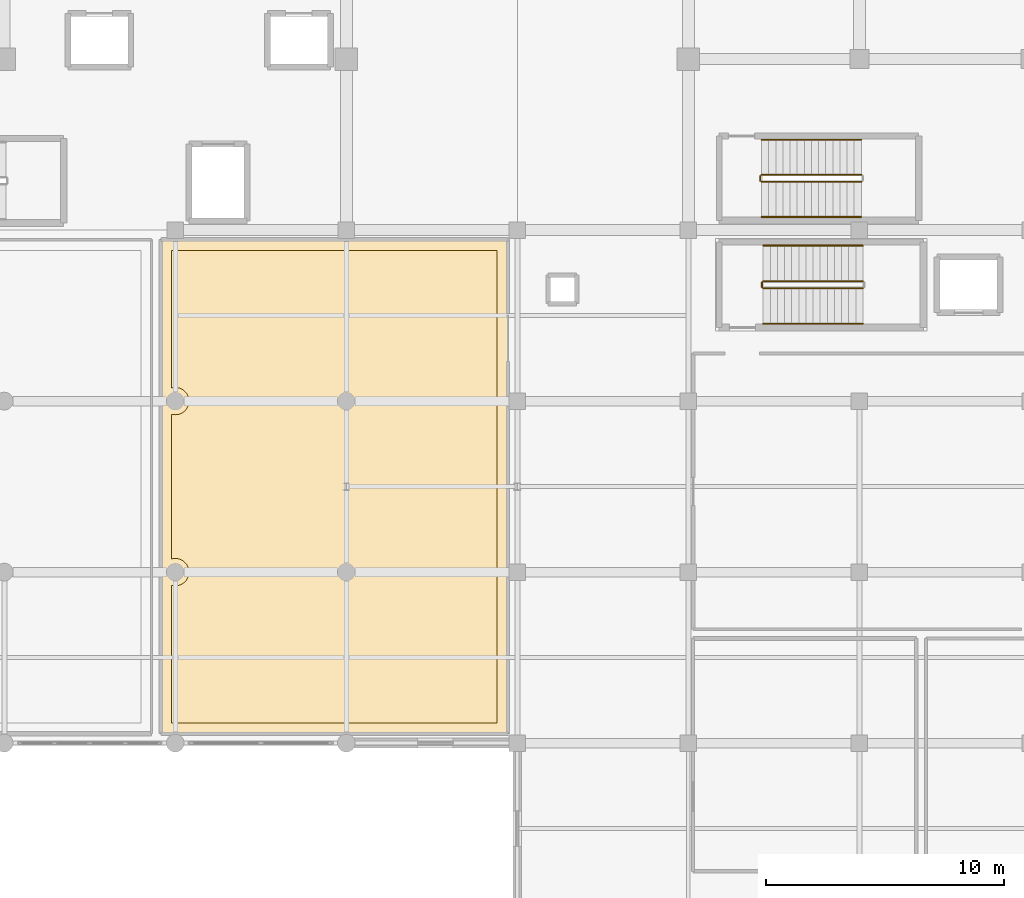
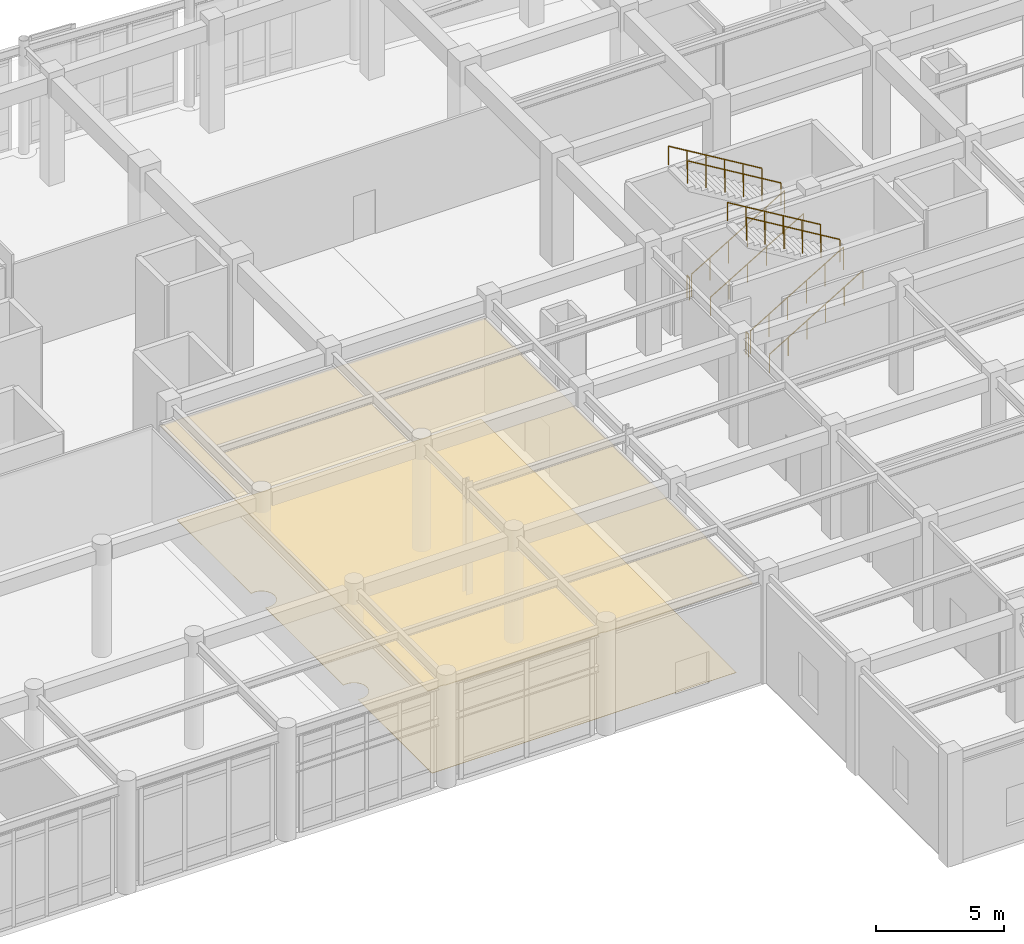
# One storey, part 97 of 102: 10 railings, 2 coverings.
"""IFC4 building model written with IfcOpenShell, lengths in metres."""

from ifc_helpers import new_model, si_unit, direction, frame, origin, origin_2d, place, context, subcontext, project, spatial, polyline, circle, outline, extrude, material, layer, layer_set, type_object, element, save


model = new_model("IFC4")

# Units and contexts
model_context = context("Model", 3, precision=1e-05, world=origin(), true_north=direction((0.0, 1.0)))
body_context = subcontext(model_context, "Body", "Model", "MODEL_VIEW")
ifc_project = project(units=[si_unit("LENGTHUNIT", "METRE"), si_unit("AREAUNIT", "SQUARE_METRE"), si_unit("VOLUMEUNIT", "CUBIC_METRE"), si_unit("PLANEANGLEUNIT", "RADIAN"), si_unit("MASSUNIT", "GRAM", prefix="KILO")], contexts=[model_context])

# Site, building, storey
site_placement = place(None, origin())
site = spatial("IfcSite", under=ifc_project, at=site_placement, CompositionType="ELEMENT")
building_placement = place(site_placement, origin())
building = spatial("IfcBuilding", under=site, at=building_placement, Name="Carrowvane Square Congress Hotel", CompositionType="ELEMENT")
storey_placement = place(building_placement, origin())
storey = spatial("IfcBuildingStorey", under=building, at=storey_placement, Name="L00", CompositionType="ELEMENT", Elevation=0.0)

# Coverings
ifc_material_1 = material(Name="Anodised aluminium", Category="aluminium")
ifc_layer_1 = layer(ifc_material_1, 0.030029296875)
ifc_layer_set_1 = layer_set([ifc_layer_1], Name="Anodised aluminium")
covering_type_1 = type_object("IfcCoveringType", Name="COV-CLG-MT30", PredefinedType="CEILING", material=ifc_layer_set_1)
covering_1_placement = place(storey_placement, frame((0.0, 0.0, 4.35498046875)))
element("IfcCovering", 1, at=covering_1_placement, inside=storey, type_object=covering_type_1, Name="L00 Artisan Coffee Roastery and Bakery acoustic ceiling", PredefinedType="CEILING", context=body_context, shape_type="SweptSolid", body=[
    extrude(outline(polyline([(112.47802734375, 91.40771484375), (112.51611328125, 91.417236328125), (112.52392578125, 91.419921875), (119.47607421875, 91.419921875), (119.48388671875, 91.417236328125), (119.52197265625, 91.40771484375), (119.560791015625, 91.40185546875), (119.60009765625, 91.39990234375), (119.63916015625, 91.40185546875), (119.677978515625, 91.40771484375), (119.716064453125, 91.417236328125), (119.723876953125, 91.419921875), (126.39990234375, 91.419921875), (126.402099609375, 91.419921875), (126.40380859375, 91.419677734375), (126.40576171875, 91.419189453125), (126.40771484375, 91.41845703125), (126.409423828125, 91.41748046875), (126.4111328125, 91.41650390625), (126.41259765625, 91.41552734375), (126.4140625, 91.4140625), (126.41552734375, 91.41259765625), (126.41650390625, 91.4111328125), (126.41748046875, 91.409423828125), (126.41845703125, 91.40771484375), (126.419189453125, 91.40576171875), (126.419677734375, 91.40380859375), (126.419921875, 91.402099609375), (126.419921875, 91.39990234375), (126.419921875, 84.723876953125), (126.417236328125, 84.716064453125), (126.40771484375, 84.677978515625), (126.40185546875, 84.63916015625), (126.39990234375, 84.60009765625), (126.40185546875, 84.560791015625), (126.40771484375, 84.52197265625), (126.417236328125, 84.48388671875), (126.419921875, 84.47607421875), (126.419921875, 77.52392578125), (126.417236328125, 77.51611328125), (126.40771484375, 77.47802734375), (126.40185546875, 77.439208984375), (126.39990234375, 77.39990234375), (126.40185546875, 77.36083984375), (126.40771484375, 77.322021484375), (126.417236328125, 77.283935546875), (126.419921875, 77.276123046875), (126.419921875, 70.60009765625), (126.419921875, 70.597900390625), (126.419677734375, 70.59619140625), (126.419189453125, 70.59423828125), (126.41845703125, 70.59228515625), (126.41748046875, 70.590576171875), (126.41650390625, 70.5888671875), (126.41552734375, 70.58740234375), (126.4140625, 70.5859375), (126.41259765625, 70.58447265625), (126.4111328125, 70.58349609375), (126.409423828125, 70.58251953125), (126.40771484375, 70.58154296875), (126.40576171875, 70.580810546875), (126.40380859375, 70.580322265625), (126.402099609375, 70.580078125), (126.39990234375, 70.580078125), (119.789306640625, 70.580078125), (119.7626953125, 70.592529296875), (119.723388671875, 70.606689453125), (119.682861328125, 70.61669921875), (119.6416015625, 70.623046875), (119.60009765625, 70.625), (119.558349609375, 70.623046875), (119.51708984375, 70.61669921875), (119.4765625, 70.606689453125), (119.4375, 70.592529296875), (119.41064453125, 70.580078125), (112.58935546875, 70.580078125), (112.5625, 70.592529296875), (112.5234375, 70.606689453125), (112.48291015625, 70.61669921875), (112.441650390625, 70.623046875), (112.39990234375, 70.625), (112.3583984375, 70.623046875), (112.317138671875, 70.61669921875), (112.276611328125, 70.606689453125), (112.2373046875, 70.592529296875), (112.210693359375, 70.580078125), (111.800048828125, 70.580078125), (111.798095703125, 70.580078125), (111.796142578125, 70.580322265625), (111.794189453125, 70.580810546875), (111.792236328125, 70.58154296875), (111.79052734375, 70.58251953125), (111.788818359375, 70.58349609375), (111.787353515625, 70.58447265625), (111.785888671875, 70.5859375), (111.784423828125, 70.58740234375), (111.783447265625, 70.5888671875), (111.782470703125, 70.590576171875), (111.781494140625, 70.59228515625), (111.781005859375, 70.59423828125), (111.780517578125, 70.59619140625), (111.780029296875, 70.597900390625), (111.780029296875, 70.60009765625), (111.780029296875, 91.39990234375), (111.780029296875, 91.402099609375), (111.780517578125, 91.40380859375), (111.781005859375, 91.40576171875), (111.781494140625, 91.40771484375), (111.782470703125, 91.409423828125), (111.783447265625, 91.4111328125), (111.784423828125, 91.41259765625), (111.785888671875, 91.4140625), (111.787353515625, 91.41552734375), (111.788818359375, 91.41650390625), (111.79052734375, 91.41748046875), (111.792236328125, 91.41845703125), (111.794189453125, 91.419189453125), (111.796142578125, 91.419677734375), (111.798095703125, 91.419921875), (111.800048828125, 91.419921875), (112.276123046875, 91.419921875), (112.283935546875, 91.417236328125), (112.322021484375, 91.40771484375), (112.36083984375, 91.40185546875), (112.39990234375, 91.39990234375), (112.439208984375, 91.40185546875), (112.47802734375, 91.40771484375)])), origin(), (0.0, 0.0, 1.0), 0.030029296875),
])
ifc_material_2 = material(Name="European oak timber", Category="wood")
ifc_layer_2 = layer(ifc_material_2, 0.013916015625)
ifc_layer_set_2 = layer_set([ifc_layer_2], Name="European oak timber")
covering_type_2 = type_object("IfcCoveringType", Name="COV-FLR-CRP14", PredefinedType="FLOORING", material=ifc_layer_set_2)
covering_2_placement = place(storey_placement, origin())
element("IfcCovering", 2, at=covering_2_placement, inside=storey, type_object=covering_type_2, Name="L00 Artisan Coffee Roastery and Bakery floor finish", PredefinedType="FLOORING", context=body_context, shape_type="SweptSolid", body=[
    extrude(outline(polyline([(112.764892578125, 85.04443359375), (112.719482421875, 85.078125), (112.671142578125, 85.107177734375), (112.6201171875, 85.131103515625), (112.56689453125, 85.150146484375), (112.51220703125, 85.1640625), (112.456298828125, 85.172119140625), (112.39990234375, 85.175048828125), (112.343505859375, 85.172119140625), (112.287841796875, 85.1640625), (112.25, 85.154541015625), (112.25, 90.949951171875), (125.949951171875, 90.949951171875), (125.949951171875, 71.050048828125), (112.25, 71.050048828125), (112.25, 76.845458984375), (112.287841796875, 76.8359375), (112.343505859375, 76.827880859375), (112.39990234375, 76.824951171875), (112.456298828125, 76.827880859375), (112.51220703125, 76.8359375), (112.56689453125, 76.849853515625), (112.6201171875, 76.868896484375), (112.671142578125, 76.892822265625), (112.719482421875, 76.921875), (112.764892578125, 76.95556640625), (112.806640625, 76.993408203125), (112.844482421875, 77.03515625), (112.878173828125, 77.08056640625), (112.906982421875, 77.12890625), (112.93115234375, 77.179931640625), (112.9501953125, 77.233154296875), (112.964111328125, 77.287841796875), (112.97216796875, 77.343505859375), (112.97509765625, 77.39990234375), (112.97216796875, 77.456298828125), (112.964111328125, 77.51220703125), (112.9501953125, 77.56689453125), (112.93115234375, 77.6201171875), (112.906982421875, 77.671142578125), (112.878173828125, 77.719482421875), (112.844482421875, 77.764892578125), (112.806640625, 77.806640625), (112.764892578125, 77.844482421875), (112.719482421875, 77.878173828125), (112.671142578125, 77.906982421875), (112.6201171875, 77.93115234375), (112.56689453125, 77.9501953125), (112.51220703125, 77.964111328125), (112.456298828125, 77.97216796875), (112.39990234375, 77.97509765625), (112.343505859375, 77.97216796875), (112.287841796875, 77.964111328125), (112.25, 77.95458984375), (112.25, 84.04541015625), (112.287841796875, 84.035888671875), (112.343505859375, 84.02783203125), (112.39990234375, 84.02490234375), (112.456298828125, 84.02783203125), (112.51220703125, 84.035888671875), (112.56689453125, 84.0498046875), (112.6201171875, 84.06884765625), (112.671142578125, 84.093017578125), (112.719482421875, 84.121826171875), (112.764892578125, 84.155517578125), (112.806640625, 84.193359375), (112.844482421875, 84.235107421875), (112.878173828125, 84.280517578125), (112.906982421875, 84.328857421875), (112.93115234375, 84.3798828125), (112.9501953125, 84.43310546875), (112.964111328125, 84.48779296875), (112.97216796875, 84.543701171875), (112.97509765625, 84.60009765625), (112.97216796875, 84.656494140625), (112.964111328125, 84.712158203125), (112.9501953125, 84.766845703125), (112.93115234375, 84.820068359375), (112.906982421875, 84.87109375), (112.878173828125, 84.91943359375), (112.844482421875, 84.96484375), (112.806640625, 85.006591796875), (112.764892578125, 85.04443359375)])), origin(), (0.0, 0.0, 1.0), 0.013916015625),
])

# Railings
ifc_material_3 = material(Name="Stainless steel 316", Category="steel")
ifc_layer_3 = layer(ifc_material_3, 0.048095703125)
ifc_layer_set_3 = layer_set([ifc_layer_3], Name="Stainless steel 316")
railing_type_1 = type_object("IfcRailingType", Name="RLG-HR-900", PredefinedType="HANDRAIL", material=ifc_layer_set_3)
railing_1_placement = place(storey_placement, frame((137.14990234375, 87.85009765625, 0.179931640625)))
element("IfcRailing", 3, at=railing_1_placement, inside=storey, type_object=railing_type_1, Name="L00 ST8 stair handrail 1", PredefinedType="HANDRAIL", context=body_context, shape_type="SweptSolid", body=[
    extrude(circle(Radius=0.02392578125, at=origin_2d()), frame((0.0, 0.0, 0.8759765625), z_axis=(0.857501721439, 0.0, 0.514481095599), x_axis=(0.0, 1.0, 0.0)), (0.0, 0.0, 1.0), 4.898193359375),
    extrude(circle(Radius=0.02099609375, at=origin_2d()), origin(), (0.0, 0.0, 1.0), 0.851806640625),
    extrude(circle(Radius=0.02099609375, at=origin_2d()), frame((0.840087890625, 0.0, 0.50390625)), (0.0, 0.0, 1.0), 0.851806640625),
    extrude(circle(Radius=0.02099609375, at=origin_2d()), frame((1.68017578125, 0.0, 1.008056640625)), (0.0, 0.0, 1.0), 0.851806640625),
    extrude(circle(Radius=0.02099609375, at=origin_2d()), frame((2.52001953125, 0.0, 1.511962890625)), (0.0, 0.0, 1.0), 0.851806640625),
    extrude(circle(Radius=0.02099609375, at=origin_2d()), frame((3.360107421875, 0.0, 2.01611328125)), (0.0, 0.0, 1.0), 0.851806640625),
    extrude(circle(Radius=0.02099609375, at=origin_2d()), frame((4.2001953125, 0.0, 2.52001953125)), (0.0, 0.0, 1.0), 0.851806640625),
])
railing_2_placement = place(storey_placement, frame((141.35009765625, 91.14990234375, 2.8798828125)))
element("IfcRailing", 4, at=railing_2_placement, inside=storey, type_object=railing_type_1, Name="L00 ST8 stair handrail 2", PredefinedType="HANDRAIL", context=body_context, shape_type="SweptSolid", body=[
    extrude(circle(Radius=0.02392578125, at=origin_2d()), frame((0.0, 0.0, 0.8759765625), z_axis=(-0.857501721439, 0.0, 0.514481095599), x_axis=(0.0, -1.0, 0.0)), (0.0, 0.0, 1.0), 4.898193359375),
    extrude(circle(Radius=0.02099609375, at=origin_2d()), origin(), (0.0, 0.0, 1.0), 0.851806640625),
    extrude(circle(Radius=0.02099609375, at=origin_2d()), frame((-0.840087890625, 0.0, 0.50390625)), (0.0, 0.0, 1.0), 0.851806640625),
    extrude(circle(Radius=0.02099609375, at=origin_2d()), frame((-1.68017578125, 0.0, 1.008056640625)), (0.0, 0.0, 1.0), 0.851806640625),
    extrude(circle(Radius=0.02099609375, at=origin_2d()), frame((-2.52001953125, 0.0, 1.511962890625)), (0.0, 0.0, 1.0), 0.851806640625),
    extrude(circle(Radius=0.02099609375, at=origin_2d()), frame((-3.360107421875, 0.0, 2.01611328125)), (0.0, 0.0, 1.0), 0.851806640625),
    extrude(circle(Radius=0.02099609375, at=origin_2d()), frame((-4.2001953125, 0.0, 2.52001953125)), (0.0, 0.0, 1.0), 0.851806640625),
])
railing_3_placement = place(storey_placement, frame((137.080078125, 92.35009765625, 0.179931640625)))
element("IfcRailing", 5, at=railing_3_placement, inside=storey, type_object=railing_type_1, Name="L00 ST12 stair handrail 1", PredefinedType="HANDRAIL", context=body_context, shape_type="SweptSolid", body=[
    extrude(circle(Radius=0.02392578125, at=origin_2d()), frame((0.0, 0.0, 0.8759765625), z_axis=(0.857488527567, 0.0, 0.514503085598), x_axis=(0.0, 1.0, 0.0)), (0.0, 0.0, 1.0), 4.89794921875),
    extrude(circle(Radius=0.02099609375, at=origin_2d()), origin(), (0.0, 0.0, 1.0), 0.851806640625),
    extrude(circle(Radius=0.02099609375, at=origin_2d()), frame((0.840087890625, 0.0, 0.50390625)), (0.0, 0.0, 1.0), 0.851806640625),
    extrude(circle(Radius=0.02099609375, at=origin_2d()), frame((1.679931640625, 0.0, 1.008056640625)), (0.0, 0.0, 1.0), 0.851806640625),
    extrude(circle(Radius=0.02099609375, at=origin_2d()), frame((2.52001953125, 0.0, 1.511962890625)), (0.0, 0.0, 1.0), 0.851806640625),
    extrude(circle(Radius=0.02099609375, at=origin_2d()), frame((3.35986328125, 0.0, 2.01611328125)), (0.0, 0.0, 1.0), 0.851806640625),
    extrude(circle(Radius=0.02099609375, at=origin_2d()), frame((4.199951171875, 0.0, 2.52001953125)), (0.0, 0.0, 1.0), 0.851806640625),
])
railing_4_placement = place(storey_placement, frame((141.280029296875, 95.610107421875, 2.8798828125)))
element("IfcRailing", 6, at=railing_4_placement, inside=storey, type_object=railing_type_1, Name="L00 ST12 stair handrail 2", PredefinedType="HANDRAIL", context=body_context, shape_type="SweptSolid", body=[
    extrude(circle(Radius=0.02392578125, at=origin_2d()), frame((0.0, 0.0, 0.8759765625), z_axis=(-0.857488527567, 0.0, 0.514503085598), x_axis=(0.0, -1.0, 0.0)), (0.0, 0.0, 1.0), 4.89794921875),
    extrude(circle(Radius=0.02099609375, at=origin_2d()), origin(), (0.0, 0.0, 1.0), 0.851806640625),
    extrude(circle(Radius=0.02099609375, at=origin_2d()), frame((-0.840087890625, 0.0, 0.50390625)), (0.0, 0.0, 1.0), 0.851806640625),
    extrude(circle(Radius=0.02099609375, at=origin_2d()), frame((-1.679931640625, 0.0, 1.008056640625)), (0.0, 0.0, 1.0), 0.851806640625),
    extrude(circle(Radius=0.02099609375, at=origin_2d()), frame((-2.52001953125, 0.0, 1.511962890625)), (0.0, 0.0, 1.0), 0.851806640625),
    extrude(circle(Radius=0.02099609375, at=origin_2d()), frame((-3.35986328125, 0.0, 2.01611328125)), (0.0, 0.0, 1.0), 0.851806640625),
    extrude(circle(Radius=0.02099609375, at=origin_2d()), frame((-4.199951171875, 0.0, 2.52001953125)), (0.0, 0.0, 1.0), 0.851806640625),
])
ifc_material_4 = material(Name="Galvanised steel", Category="steel")
ifc_layer_4 = layer(ifc_material_4, 0.048095703125)
ifc_layer_set_4 = layer_set([ifc_layer_4], Name="Galvanised steel")
railing_type_2 = type_object("IfcRailingType", Name="RLG-STG-1100", PredefinedType="GUARDRAIL", material=ifc_layer_set_4)
railing_5_placement = place(storey_placement, frame((137.14990234375, 89.35009765625, 0.179931640625)))
element("IfcRailing", 7, at=railing_5_placement, inside=storey, type_object=railing_type_2, Name="L00 ST8 stair guard 1", PredefinedType="GUARDRAIL", context=body_context, shape_type="SweptSolid", body=[
    extrude(circle(Radius=0.02392578125, at=origin_2d()), frame((0.0, 0.0, 1.076171875), z_axis=(0.857501721439, 0.0, 0.514481095599), x_axis=(0.0, 1.0, 0.0)), (0.0, 0.0, 1.0), 4.898193359375),
    extrude(circle(Radius=0.02099609375, at=origin_2d()), origin(), (0.0, 0.0, 1.0), 1.052001953125),
    extrude(circle(Radius=0.02099609375, at=origin_2d()), frame((0.840087890625, 0.0, 0.50390625)), (0.0, 0.0, 1.0), 1.052001953125),
    extrude(circle(Radius=0.02099609375, at=origin_2d()), frame((1.68017578125, 0.0, 1.008056640625)), (0.0, 0.0, 1.0), 1.052001953125),
    extrude(circle(Radius=0.02099609375, at=origin_2d()), frame((2.52001953125, 0.0, 1.511962890625)), (0.0, 0.0, 1.0), 1.052001953125),
    extrude(circle(Radius=0.02099609375, at=origin_2d()), frame((3.360107421875, 0.0, 2.01611328125)), (0.0, 0.0, 1.0), 1.052001953125),
    extrude(circle(Radius=0.02099609375, at=origin_2d()), frame((4.2001953125, 0.0, 2.52001953125)), (0.0, 0.0, 1.0), 1.052001953125),
])
railing_6_placement = place(storey_placement, frame((141.35009765625, 89.64990234375, 2.8798828125)))
element("IfcRailing", 8, at=railing_6_placement, inside=storey, type_object=railing_type_2, Name="L00 ST8 stair guard 3", PredefinedType="GUARDRAIL", context=body_context, shape_type="SweptSolid", body=[
    extrude(circle(Radius=0.02392578125, at=origin_2d()), frame((0.0, 0.0, 1.076171875), z_axis=(-0.857501721439, 0.0, 0.514481095599), x_axis=(0.0, -1.0, 0.0)), (0.0, 0.0, 1.0), 4.898193359375),
    extrude(circle(Radius=0.02099609375, at=origin_2d()), origin(), (0.0, 0.0, 1.0), 1.052001953125),
    extrude(circle(Radius=0.02099609375, at=origin_2d()), frame((-0.840087890625, 0.0, 0.50390625)), (0.0, 0.0, 1.0), 1.052001953125),
    extrude(circle(Radius=0.02099609375, at=origin_2d()), frame((-1.68017578125, 0.0, 1.008056640625)), (0.0, 0.0, 1.0), 1.052001953125),
    extrude(circle(Radius=0.02099609375, at=origin_2d()), frame((-2.52001953125, 0.0, 1.511962890625)), (0.0, 0.0, 1.0), 1.052001953125),
    extrude(circle(Radius=0.02099609375, at=origin_2d()), frame((-3.360107421875, 0.0, 2.01611328125)), (0.0, 0.0, 1.0), 1.052001953125),
    extrude(circle(Radius=0.02099609375, at=origin_2d()), frame((-4.2001953125, 0.0, 2.52001953125)), (0.0, 0.0, 1.0), 1.052001953125),
])
railing_7_placement = place(storey_placement, frame((137.10009765625, 89.39990234375, 0.0)))
element("IfcRailing", 9, at=railing_7_placement, inside=storey, type_object=railing_type_2, Name="L00 ST8 stair guard 4", PredefinedType="GUARDRAIL", context=body_context, shape_type="SweptSolid", body=[
    extrude(circle(Radius=0.02392578125, at=origin_2d()), frame((0.0, 0.0, 1.076171875), z_axis=(0.0, 1.0, 0.0), x_axis=(-1.0, 0.0, 0.0)), (0.0, 0.0, 1.0), 0.2001953125),
    extrude(circle(Radius=0.02099609375, at=origin_2d()), origin(), (0.0, 0.0, 1.0), 1.052001953125),
    extrude(circle(Radius=0.02099609375, at=origin_2d()), frame((0.0, 0.2001953125, 0.0)), (0.0, 0.0, 1.0), 1.052001953125),
])
railing_8_placement = place(storey_placement, frame((137.080078125, 93.830078125, 0.179931640625)))
element("IfcRailing", 10, at=railing_8_placement, inside=storey, type_object=railing_type_2, Name="L00 ST12 stair guard 1", PredefinedType="GUARDRAIL", context=body_context, shape_type="SweptSolid", body=[
    extrude(circle(Radius=0.02392578125, at=origin_2d()), frame((0.0, 0.0, 1.076171875), z_axis=(0.857488527567, 0.0, 0.514503085598), x_axis=(0.0, 1.0, 0.0)), (0.0, 0.0, 1.0), 4.89794921875),
    extrude(circle(Radius=0.02099609375, at=origin_2d()), origin(), (0.0, 0.0, 1.0), 1.052001953125),
    extrude(circle(Radius=0.02099609375, at=origin_2d()), frame((0.840087890625, 0.0, 0.50390625)), (0.0, 0.0, 1.0), 1.052001953125),
    extrude(circle(Radius=0.02099609375, at=origin_2d()), frame((1.679931640625, 0.0, 1.008056640625)), (0.0, 0.0, 1.0), 1.052001953125),
    extrude(circle(Radius=0.02099609375, at=origin_2d()), frame((2.52001953125, 0.0, 1.511962890625)), (0.0, 0.0, 1.0), 1.052001953125),
    extrude(circle(Radius=0.02099609375, at=origin_2d()), frame((3.35986328125, 0.0, 2.01611328125)), (0.0, 0.0, 1.0), 1.052001953125),
    extrude(circle(Radius=0.02099609375, at=origin_2d()), frame((4.199951171875, 0.0, 2.52001953125)), (0.0, 0.0, 1.0), 1.052001953125),
])
railing_9_placement = place(storey_placement, frame((141.280029296875, 94.1298828125, 2.8798828125)))
element("IfcRailing", 11, at=railing_9_placement, inside=storey, type_object=railing_type_2, Name="L00 ST12 stair guard 3", PredefinedType="GUARDRAIL", context=body_context, shape_type="SweptSolid", body=[
    extrude(circle(Radius=0.02392578125, at=origin_2d()), frame((0.0, 0.0, 1.076171875), z_axis=(-0.857488527567, 0.0, 0.514503085598), x_axis=(0.0, -1.0, 0.0)), (0.0, 0.0, 1.0), 4.89794921875),
    extrude(circle(Radius=0.02099609375, at=origin_2d()), origin(), (0.0, 0.0, 1.0), 1.052001953125),
    extrude(circle(Radius=0.02099609375, at=origin_2d()), frame((-0.840087890625, 0.0, 0.50390625)), (0.0, 0.0, 1.0), 1.052001953125),
    extrude(circle(Radius=0.02099609375, at=origin_2d()), frame((-1.679931640625, 0.0, 1.008056640625)), (0.0, 0.0, 1.0), 1.052001953125),
    extrude(circle(Radius=0.02099609375, at=origin_2d()), frame((-2.52001953125, 0.0, 1.511962890625)), (0.0, 0.0, 1.0), 1.052001953125),
    extrude(circle(Radius=0.02099609375, at=origin_2d()), frame((-3.35986328125, 0.0, 2.01611328125)), (0.0, 0.0, 1.0), 1.052001953125),
    extrude(circle(Radius=0.02099609375, at=origin_2d()), frame((-4.199951171875, 0.0, 2.52001953125)), (0.0, 0.0, 1.0), 1.052001953125),
])
railing_10_placement = place(storey_placement, frame((137.030029296875, 93.8798828125, 0.0)))
element("IfcRailing", 12, at=railing_10_placement, inside=storey, type_object=railing_type_2, Name="L00 ST12 stair guard 4", PredefinedType="GUARDRAIL", context=body_context, shape_type="SweptSolid", body=[
    extrude(circle(Radius=0.02392578125, at=origin_2d()), frame((0.0, 0.0, 1.076171875), z_axis=(0.0, 1.0, 0.0), x_axis=(-1.0, 0.0, 0.0)), (0.0, 0.0, 1.0), 0.2001953125),
    extrude(circle(Radius=0.02099609375, at=origin_2d()), origin(), (0.0, 0.0, 1.0), 1.052001953125),
    extrude(circle(Radius=0.02099609375, at=origin_2d()), frame((0.0, 0.2001953125, 0.0)), (0.0, 0.0, 1.0), 1.052001953125),
])

save(model, "model.ifc")
